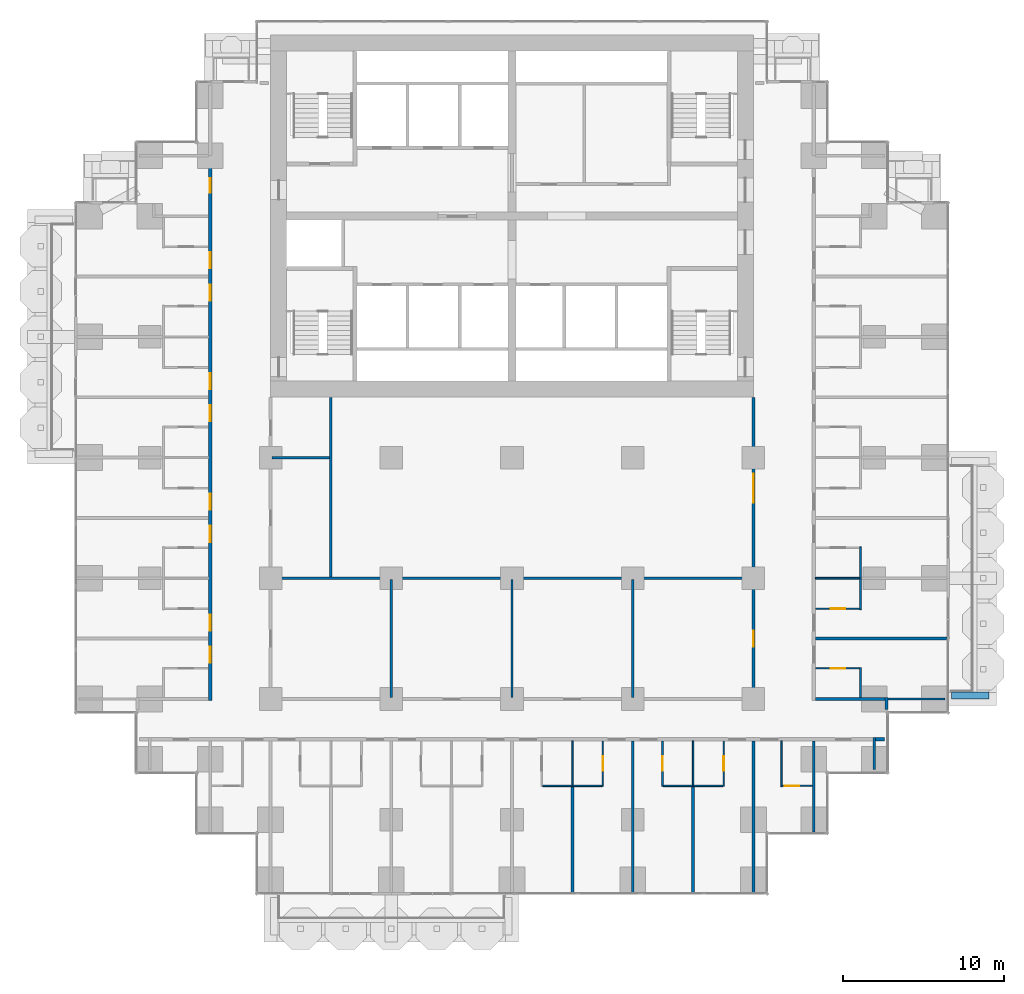
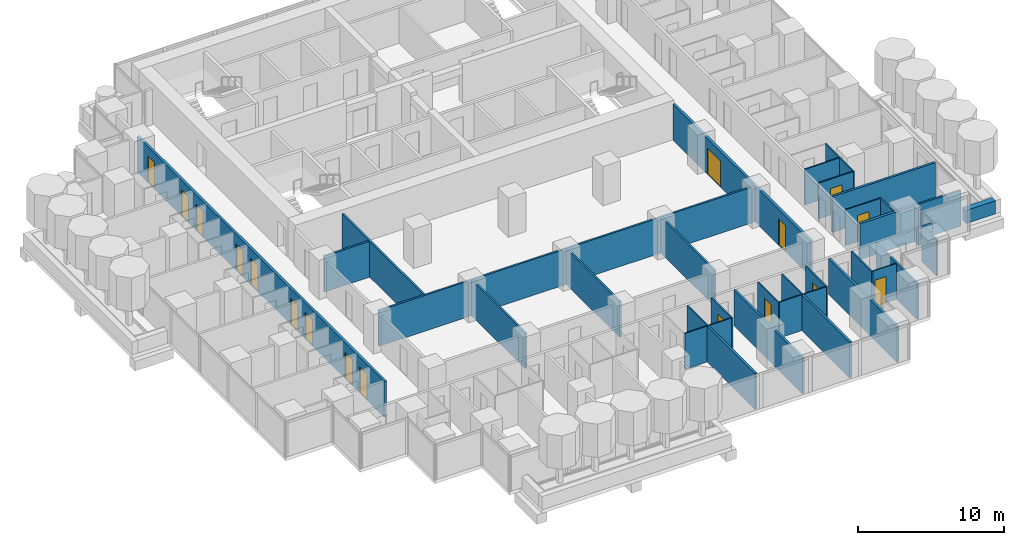
# One storey, part 11 of 18: 34 walls, 17 doors, 17 openings.
"""IFC4 building model written with IfcOpenShell, lengths in metres."""

from ifc_helpers import new_model, si_unit, direction, frame, frame_2d, origin, place, context, subcontext, project, spatial, rectangle, extrude, material, layer, layer_set, type_object, element, fill, save


model = new_model("IFC4")

# Units and contexts
model_context = context("Model", 3, precision=1e-05, world=origin(), true_north=direction((0.0, 1.0)))
body_context = subcontext(model_context, "Body", "Model", "MODEL_VIEW")
ifc_project = project(units=[si_unit("LENGTHUNIT", "METRE"), si_unit("AREAUNIT", "SQUARE_METRE"), si_unit("VOLUMEUNIT", "CUBIC_METRE"), si_unit("PLANEANGLEUNIT", "RADIAN"), si_unit("MASSUNIT", "GRAM", prefix="KILO")], contexts=[model_context])

# Site, building, storey
site_placement = place(None, origin())
site = spatial("IfcSite", under=ifc_project, at=site_placement, CompositionType="ELEMENT")
building_placement = place(site_placement, origin())
building = spatial("IfcBuilding", under=site, at=building_placement, Name="Pilkhan Gate Tower", CompositionType="ELEMENT")
storey_placement = place(building_placement, frame((0.0, 0.0, 42.800048828125)))
storey = spatial("IfcBuildingStorey", under=building, at=storey_placement, Name="L07", CompositionType="ELEMENT", Elevation=42.800048828125)

# Walls
ifc_material_1 = material(Name="Dense blockwork", Category="masonry")
ifc_layer_1 = layer(ifc_material_1, 0.175048828125)
ifc_layer_set_1 = layer_set([ifc_layer_1], Name="Acoustic party wall PW175")
wall_type_1 = type_object("IfcWallType", Name="Acoustic party wall PW175", PredefinedType="PARTITIONING", material=ifc_layer_set_1)
wall_1_placement = place(storey_placement, frame((93.85009765625, 56.25, 0.0), z_axis=(0.0, 0.0, 1.0), x_axis=(1.0, 0.0, 0.0)))
element("IfcWall", 1, at=wall_1_placement, inside=storey, type_object=wall_type_1, Name="Partition L07", PredefinedType="PARTITIONING", context=body_context, shape_type="SweptSolid", body=[
    extrude(rectangle(XDim=8.164794921875, YDim=0.175048828125, at=frame_2d((4.08251953125, 0.0))), origin(), (0.0, 0.0, 1.0), 3.0),
])
wall_2_placement = place(storey_placement, frame((78.75, 40.485107421875, 0.0), z_axis=(0.0, 0.0, 1.0), x_axis=(0.0, 1.0, 0.0)))
element("IfcWall", 2, at=wall_2_placement, inside=storey, type_object=wall_type_1, Name="Partition L07", PredefinedType="PARTITIONING", context=body_context, shape_type="SweptSolid", body=[
    extrude(rectangle(XDim=6.56494140625, YDim=0.175048828125, at=frame_2d((3.282470703125, 0.0))), origin(), (0.0, 0.0, 1.0), 3.0),
])
wall_3_placement = place(storey_placement, frame((82.5, 40.485107421875, 0.0), z_axis=(0.0, 0.0, 1.0), x_axis=(0.0, 1.0, 0.0)))
element("IfcWall", 3, at=wall_3_placement, inside=storey, type_object=wall_type_1, Name="Partition L07", PredefinedType="PARTITIONING", context=body_context, shape_type="SweptSolid", body=[
    extrude(rectangle(XDim=9.414794921875, YDim=0.175048828125, at=frame_2d((4.70751953125, 0.0))), origin(), (0.0, 0.0, 1.0), 3.0),
])
wall_4_placement = place(storey_placement, frame((86.25, 40.485107421875, 0.0), z_axis=(0.0, 0.0, 1.0), x_axis=(0.0, 1.0, 0.0)))
element("IfcWall", 4, at=wall_4_placement, inside=storey, type_object=wall_type_1, Name="Partition L07", PredefinedType="PARTITIONING", context=body_context, shape_type="SweptSolid", body=[
    extrude(rectangle(XDim=6.56494140625, YDim=0.175048828125, at=frame_2d((3.282470703125, 0.0))), origin(), (0.0, 0.0, 1.0), 3.0),
])
wall_5_placement = place(storey_placement, frame((90.0, 40.485107421875, 0.0), z_axis=(0.0, 0.0, 1.0), x_axis=(0.0, 1.0, 0.0)))
element("IfcWall", 5, at=wall_5_placement, inside=storey, type_object=wall_type_1, Name="Partition L07", PredefinedType="PARTITIONING", context=body_context, shape_type="SweptSolid", body=[
    extrude(rectangle(XDim=9.414794921875, YDim=0.175048828125, at=frame_2d((4.70751953125, 0.0))), origin(), (0.0, 0.0, 1.0), 3.0),
])
ifc_material_2 = material(Name="Board-marked Concrete C40/50", Category="concrete")
ifc_layer_2 = layer(ifc_material_2, 0.449951171875)
ifc_layer_set_2 = layer_set([ifc_layer_2], Name="Balcony planter lip BL450")
wall_type_2 = type_object("IfcWallType", Name="Balcony planter lip BL450", PredefinedType="USERDEFINED", material=ifc_layer_set_2)
wall_6_placement = place(storey_placement, frame((102.320068359375, 52.72509765625, 0.0), z_axis=(0.0, 0.0, 1.0), x_axis=(1.0, 0.0, 0.0)))
element("IfcWall", 6, at=wall_6_placement, inside=storey, type_object=wall_type_2, Name="Balcony planter L07 E", ObjectType="BALCONY PLANTER", PredefinedType="USERDEFINED", context=body_context, shape_type="SweptSolid", body=[
    extrude(rectangle(XDim=2.329833984375, YDim=0.449951171875, at=frame_2d((1.1650390625, 0.0))), origin(), (0.0, 0.0, 1.0), 1.099853515625),
])
ifc_layer_3 = layer(ifc_material_1, 0.199951171875)
ifc_layer_set_3 = layer_set([ifc_layer_3], Name="Corridor wall FW200")
wall_type_3 = type_object("IfcWallType", Name="Corridor wall FW200", PredefinedType="PARTITIONING", material=ifc_layer_set_3)
wall_7_placement = place(storey_placement, frame((97.574951171875, 50.0, 0.0), z_axis=(0.0, 0.0, 1.0), x_axis=(1.0, 0.0, 0.0)))
element("IfcWall", 7, at=wall_7_placement, inside=storey, type_object=wall_type_3, Name="Partition L07", PredefinedType="PARTITIONING", context=body_context, shape_type="SweptSolid", body=[
    extrude(rectangle(XDim=0.570068359375, YDim=0.199951171875, at=frame_2d((0.28515625, 0.0))), origin(), (0.0, 0.0, 1.0), 3.0),
])
wall_8_placement = place(storey_placement, frame((93.85009765625, 52.5, 0.0), z_axis=(0.0, 0.0, 1.0), x_axis=(1.0, 0.0, 0.0)))
element("IfcWall", 8, at=wall_8_placement, inside=storey, type_object=wall_type_3, Name="Partition L07", PredefinedType="PARTITIONING", context=body_context, shape_type="SweptSolid", body=[
    extrude(rectangle(XDim=4.31494140625, YDim=0.199951171875, at=frame_2d((2.157470703125, 0.0))), origin(), (0.0, 0.0, 1.0), 3.0),
])

# Wall, openings, doors
wall_9_placement = place(storey_placement, frame((56.25, 52.39990234375, 0.0), z_axis=(0.0, 0.0, 1.0), x_axis=(0.0, 1.0, 0.0)))
wall_9 = element("IfcWall", 9, at=wall_9_placement, inside=storey, type_object=wall_type_3, Name="Partition L07", PredefinedType="PARTITIONING", context=body_context, shape_type="SweptSolid", body=[
    extrude(rectangle(XDim=33.925048828125, YDim=0.199951171875, at=frame_2d((16.96240234375, 0.0))), origin(), (0.0, 0.0, 1.0), 3.0),
])
opening_1_placement = place(wall_9_placement, frame((2.35009765625, 0.0, 0.0)))
opening_1 = element("IfcOpeningElement", 10, at=opening_1_placement, cuts=wall_9, Name="Opening L07-26", PredefinedType="OPENING", context=body_context, shape_type="SweptSolid", body=[
    extrude(rectangle(XDim=1.0, YDim=2.199951171875, at=frame_2d((0.5, 1.10009765625))), frame((0.0, 0.10986328125, 0.0), z_axis=(0.0, -1.0, 0.0), x_axis=(1.0, 0.0, 0.0)), (0.0, 0.0, 1.0), 0.219970703125),
])
opening_2_placement = place(wall_9_placement, frame((4.35009765625, 0.0, 0.0)))
opening_2 = element("IfcOpeningElement", 11, at=opening_2_placement, cuts=wall_9, Name="Opening L07-28", PredefinedType="OPENING", context=body_context, shape_type="SweptSolid", body=[
    extrude(rectangle(XDim=1.0, YDim=2.199951171875, at=frame_2d((0.5, 1.10009765625))), frame((0.0, 0.10986328125, 0.0), z_axis=(0.0, -1.0, 0.0), x_axis=(1.0, 0.0, 0.0)), (0.0, 0.0, 1.0), 0.219970703125),
])
opening_3_placement = place(wall_9_placement, frame((9.85009765625, 0.0, 0.0)))
opening_3 = element("IfcOpeningElement", 12, at=opening_3_placement, cuts=wall_9, Name="Opening L07-30", PredefinedType="OPENING", context=body_context, shape_type="SweptSolid", body=[
    extrude(rectangle(XDim=1.0, YDim=2.199951171875, at=frame_2d((0.5, 1.10009765625))), frame((0.0, 0.10986328125, 0.0), z_axis=(0.0, -1.0, 0.0), x_axis=(1.0, 0.0, 0.0)), (0.0, 0.0, 1.0), 0.219970703125),
])
opening_4_placement = place(wall_9_placement, frame((11.85009765625, 0.0, 0.0)))
opening_4 = element("IfcOpeningElement", 13, at=opening_4_placement, cuts=wall_9, Name="Opening L07-32", PredefinedType="OPENING", context=body_context, shape_type="SweptSolid", body=[
    extrude(rectangle(XDim=1.0, YDim=2.199951171875, at=frame_2d((0.5, 1.10009765625))), frame((0.0, 0.10986328125, 0.0), z_axis=(0.0, -1.0, 0.0), x_axis=(1.0, 0.0, 0.0)), (0.0, 0.0, 1.0), 0.219970703125),
])
opening_5_placement = place(wall_9_placement, frame((17.35009765625, 0.0, 0.0)))
opening_5 = element("IfcOpeningElement", 14, at=opening_5_placement, cuts=wall_9, Name="Opening L07-34", PredefinedType="OPENING", context=body_context, shape_type="SweptSolid", body=[
    extrude(rectangle(XDim=1.0, YDim=2.199951171875, at=frame_2d((0.5, 1.10009765625))), frame((0.0, 0.10986328125, 0.0), z_axis=(0.0, -1.0, 0.0), x_axis=(1.0, 0.0, 0.0)), (0.0, 0.0, 1.0), 0.219970703125),
])
opening_6_placement = place(wall_9_placement, frame((19.35009765625, 0.0, 0.0)))
opening_6 = element("IfcOpeningElement", 15, at=opening_6_placement, cuts=wall_9, Name="Opening L07-36", PredefinedType="OPENING", context=body_context, shape_type="SweptSolid", body=[
    extrude(rectangle(XDim=1.0, YDim=2.199951171875, at=frame_2d((0.5, 1.10009765625))), frame((0.0, 0.10986328125, 0.0), z_axis=(0.0, -1.0, 0.0), x_axis=(1.0, 0.0, 0.0)), (0.0, 0.0, 1.0), 0.219970703125),
])
opening_7_placement = place(wall_9_placement, frame((24.85009765625, 0.0, 0.0)))
opening_7 = element("IfcOpeningElement", 16, at=opening_7_placement, cuts=wall_9, Name="Opening L07-38", PredefinedType="OPENING", context=body_context, shape_type="SweptSolid", body=[
    extrude(rectangle(XDim=1.0, YDim=2.199951171875, at=frame_2d((0.5, 1.10009765625))), frame((0.0, 0.10986328125, 0.0), z_axis=(0.0, -1.0, 0.0), x_axis=(1.0, 0.0, 0.0)), (0.0, 0.0, 1.0), 0.219970703125),
])
opening_8_placement = place(wall_9_placement, frame((26.85009765625, 0.0, 0.0)))
opening_8 = element("IfcOpeningElement", 17, at=opening_8_placement, cuts=wall_9, Name="Opening L07-40", PredefinedType="OPENING", context=body_context, shape_type="SweptSolid", body=[
    extrude(rectangle(XDim=1.0, YDim=2.199951171875, at=frame_2d((0.5, 1.10009765625))), frame((0.0, 0.10986328125, 0.0), z_axis=(0.0, -1.0, 0.0), x_axis=(1.0, 0.0, 0.0)), (0.0, 0.0, 1.0), 0.219970703125),
])
opening_9_placement = place(wall_9_placement, frame((31.550048828125, 0.0, 0.0)))
opening_9 = element("IfcOpeningElement", 18, at=opening_9_placement, cuts=wall_9, Name="Opening L07-65", PredefinedType="OPENING", context=body_context, shape_type="SweptSolid", body=[
    extrude(rectangle(XDim=0.89990234375, YDim=2.199951171875, at=frame_2d((0.449951171875, 1.10009765625))), frame((0.0, 0.10986328125, 0.0), z_axis=(0.0, -1.0, 0.0), x_axis=(1.0, 0.0, 0.0)), (0.0, 0.0, 1.0), 0.219970703125),
])
ifc_material_3 = material(Name="Timber flush door, 30 minute fire resisting", Category="wood")
door_type_1 = type_object("IfcDoorType", Name="Guest room door D01 1000x2200", OperationType="SINGLE_SWING_LEFT", PredefinedType="DOOR", material=ifc_material_3)
door_1_placement = place(opening_1_placement, origin())
door_1 = element("IfcDoor", 19, at=door_1_placement, inside=storey, type_object=door_type_1, Name="Guest room door", OperationType="SINGLE_SWING_LEFT", OverallHeight=2.199951171875, OverallWidth=1.0, PredefinedType="DOOR", context=body_context, shape_type="SweptSolid", body=[
    extrude(rectangle(XDim=1.0, YDim=2.199951171875, at=frame_2d((0.5, 1.10009765625))), frame((0.0, 0.02490234375, 0.0), z_axis=(0.0, -1.0, 0.0), x_axis=(1.0, 0.0, 0.0)), (0.0, 0.0, 1.0), 0.050048828125),
])
fill(opening_1, door_1)
door_2_placement = place(opening_2_placement, origin())
door_2 = element("IfcDoor", 20, at=door_2_placement, inside=storey, type_object=door_type_1, Name="Guest room door", OperationType="SINGLE_SWING_RIGHT", OverallHeight=2.199951171875, OverallWidth=1.0, PredefinedType="DOOR", context=body_context, shape_type="SweptSolid", body=[
    extrude(rectangle(XDim=1.0, YDim=2.199951171875, at=frame_2d((0.5, 1.10009765625))), frame((0.0, 0.02490234375, 0.0), z_axis=(0.0, -1.0, 0.0), x_axis=(1.0, 0.0, 0.0)), (0.0, 0.0, 1.0), 0.050048828125),
])
fill(opening_2, door_2)
door_3_placement = place(opening_3_placement, origin())
door_3 = element("IfcDoor", 21, at=door_3_placement, inside=storey, type_object=door_type_1, Name="Guest room door", OperationType="SINGLE_SWING_LEFT", OverallHeight=2.199951171875, OverallWidth=1.0, PredefinedType="DOOR", context=body_context, shape_type="SweptSolid", body=[
    extrude(rectangle(XDim=1.0, YDim=2.199951171875, at=frame_2d((0.5, 1.10009765625))), frame((0.0, 0.02490234375, 0.0), z_axis=(0.0, -1.0, 0.0), x_axis=(1.0, 0.0, 0.0)), (0.0, 0.0, 1.0), 0.050048828125),
])
fill(opening_3, door_3)
door_4_placement = place(opening_4_placement, origin())
door_4 = element("IfcDoor", 22, at=door_4_placement, inside=storey, type_object=door_type_1, Name="Guest room door", OperationType="SINGLE_SWING_LEFT", OverallHeight=2.199951171875, OverallWidth=1.0, PredefinedType="DOOR", context=body_context, shape_type="SweptSolid", body=[
    extrude(rectangle(XDim=1.0, YDim=2.199951171875, at=frame_2d((0.5, 1.10009765625))), frame((0.0, 0.02490234375, 0.0), z_axis=(0.0, -1.0, 0.0), x_axis=(1.0, 0.0, 0.0)), (0.0, 0.0, 1.0), 0.050048828125),
])
fill(opening_4, door_4)
door_5_placement = place(opening_5_placement, origin())
door_5 = element("IfcDoor", 23, at=door_5_placement, inside=storey, type_object=door_type_1, Name="Guest room door", OperationType="SINGLE_SWING_LEFT", OverallHeight=2.199951171875, OverallWidth=1.0, PredefinedType="DOOR", context=body_context, shape_type="SweptSolid", body=[
    extrude(rectangle(XDim=1.0, YDim=2.199951171875, at=frame_2d((0.5, 1.10009765625))), frame((0.0, 0.02490234375, 0.0), z_axis=(0.0, -1.0, 0.0), x_axis=(1.0, 0.0, 0.0)), (0.0, 0.0, 1.0), 0.050048828125),
])
fill(opening_5, door_5)
door_6_placement = place(opening_6_placement, origin())
door_6 = element("IfcDoor", 24, at=door_6_placement, inside=storey, type_object=door_type_1, Name="Guest room door", OperationType="SINGLE_SWING_RIGHT", OverallHeight=2.199951171875, OverallWidth=1.0, PredefinedType="DOOR", context=body_context, shape_type="SweptSolid", body=[
    extrude(rectangle(XDim=1.0, YDim=2.199951171875, at=frame_2d((0.5, 1.10009765625))), frame((0.0, 0.02490234375, 0.0), z_axis=(0.0, -1.0, 0.0), x_axis=(1.0, 0.0, 0.0)), (0.0, 0.0, 1.0), 0.050048828125),
])
fill(opening_6, door_6)
door_7_placement = place(opening_7_placement, origin())
door_7 = element("IfcDoor", 25, at=door_7_placement, inside=storey, type_object=door_type_1, Name="Guest room door", OperationType="SINGLE_SWING_LEFT", OverallHeight=2.199951171875, OverallWidth=1.0, PredefinedType="DOOR", context=body_context, shape_type="SweptSolid", body=[
    extrude(rectangle(XDim=1.0, YDim=2.199951171875, at=frame_2d((0.5, 1.10009765625))), frame((0.0, 0.02490234375, 0.0), z_axis=(0.0, -1.0, 0.0), x_axis=(1.0, 0.0, 0.0)), (0.0, 0.0, 1.0), 0.050048828125),
])
fill(opening_7, door_7)
door_8_placement = place(opening_8_placement, origin())
door_8 = element("IfcDoor", 26, at=door_8_placement, inside=storey, type_object=door_type_1, Name="Guest room door", OperationType="SINGLE_SWING_LEFT", OverallHeight=2.199951171875, OverallWidth=1.0, PredefinedType="DOOR", context=body_context, shape_type="SweptSolid", body=[
    extrude(rectangle(XDim=1.0, YDim=2.199951171875, at=frame_2d((0.5, 1.10009765625))), frame((0.0, 0.02490234375, 0.0), z_axis=(0.0, -1.0, 0.0), x_axis=(1.0, 0.0, 0.0)), (0.0, 0.0, 1.0), 0.050048828125),
])
fill(opening_8, door_8)
ifc_material_4 = material(Name="Timber flush door, 60 minute fire resisting, self-closing", Category="wood")
door_type_2 = type_object("IfcDoorType", Name="Store door D05 900x2200", OperationType="SINGLE_SWING_LEFT", PredefinedType="DOOR", material=ifc_material_4)
door_9_placement = place(opening_9_placement, origin())
door_9 = element("IfcDoor", 27, at=door_9_placement, inside=storey, type_object=door_type_2, Name="Store door", OperationType="SINGLE_SWING_LEFT", OverallHeight=2.199951171875, OverallWidth=0.89990234375, PredefinedType="DOOR", context=body_context, shape_type="SweptSolid", body=[
    extrude(rectangle(XDim=0.89990234375, YDim=2.199951171875, at=frame_2d((0.449951171875, 1.10009765625))), frame((0.0, 0.02490234375, 0.0), z_axis=(0.0, -1.0, 0.0), x_axis=(1.0, 0.0, 0.0)), (0.0, 0.0, 1.0), 0.050048828125),
])
fill(opening_9, door_9)

wall_10_placement = place(storey_placement, frame((90.0, 52.39990234375, 0.0), z_axis=(0.0, 0.0, 1.0), x_axis=(0.0, 1.0, 0.0)))
wall_10 = element("IfcWall", 28, at=wall_10_placement, inside=storey, type_object=wall_type_3, Name="Partition L07", PredefinedType="PARTITIONING", context=body_context, shape_type="SweptSolid", body=[
    extrude(rectangle(XDim=18.840087890625, YDim=0.199951171875, at=frame_2d((9.419921875, 0.0))), origin(), (0.0, 0.0, 1.0), 3.0),
])
opening_10_placement = place(wall_10_placement, frame((3.35009765625, 0.0, 0.0)))
opening_10 = element("IfcOpeningElement", 29, at=opening_10_placement, cuts=wall_10, Name="Opening L07-70", PredefinedType="OPENING", context=body_context, shape_type="SweptSolid", body=[
    extrude(rectangle(XDim=1.0, YDim=2.199951171875, at=frame_2d((0.5, 1.10009765625))), frame((0.0, 0.10986328125, 0.0), z_axis=(0.0, -1.0, 0.0), x_axis=(1.0, 0.0, 0.0)), (0.0, 0.0, 1.0), 0.219970703125),
])
opening_11_placement = place(wall_10_placement, frame((12.300048828125, 0.0, 0.0)))
opening_11 = element("IfcOpeningElement", 30, at=opening_11_placement, cuts=wall_10, Name="Opening L07-73", PredefinedType="OPENING", context=body_context, shape_type="SweptSolid", body=[
    extrude(rectangle(XDim=1.800048828125, YDim=2.199951171875, at=frame_2d((0.89990234375, 1.10009765625))), frame((0.0, 0.10986328125, 0.0), z_axis=(0.0, -1.0, 0.0), x_axis=(1.0, 0.0, 0.0)), (0.0, 0.0, 1.0), 0.219970703125),
])
ifc_material_5 = material(Name="Timber glazed double door, 30 minute fire resisting", Category="wood")
door_type_3 = type_object("IfcDoorType", Name="Double door D04 1800x2200", OperationType="DOUBLE_DOOR_SINGLE_SWING", PredefinedType="DOOR", material=ifc_material_5)
door_10_placement = place(opening_11_placement, origin())
door_10 = element("IfcDoor", 31, at=door_10_placement, inside=storey, type_object=door_type_3, Name="Double door", OperationType="DOUBLE_DOOR_SINGLE_SWING", OverallHeight=2.199951171875, OverallWidth=1.800048828125, PredefinedType="DOOR", context=body_context, shape_type="SweptSolid", body=[
    extrude(rectangle(XDim=1.800048828125, YDim=2.199951171875, at=frame_2d((0.89990234375, 1.10009765625))), frame((0.0, 0.02490234375, 0.0), z_axis=(0.0, -1.0, 0.0), x_axis=(1.0, 0.0, 0.0)), (0.0, 0.0, 1.0), 0.050048828125),
])
fill(opening_11, door_10)
door_type_4 = type_object("IfcDoorType", Name="Room door D03 1000x2200", OperationType="SINGLE_SWING_LEFT", PredefinedType="DOOR", material=ifc_material_3)
door_11_placement = place(opening_10_placement, origin())
door_11 = element("IfcDoor", 32, at=door_11_placement, inside=storey, type_object=door_type_4, Name="Room door", OperationType="SINGLE_SWING_RIGHT", OverallHeight=2.199951171875, OverallWidth=1.0, PredefinedType="DOOR", context=body_context, shape_type="SweptSolid", body=[
    extrude(rectangle(XDim=1.0, YDim=2.199951171875, at=frame_2d((0.5, 1.10009765625))), frame((0.0, 0.02490234375, 0.0), z_axis=(0.0, -1.0, 0.0), x_axis=(1.0, 0.0, 0.0)), (0.0, 0.0, 1.0), 0.050048828125),
])
fill(opening_10, door_11)

# Walls
wall_11_placement = place(storey_placement, frame((98.264892578125, 51.85498046875, 0.0), z_axis=(0.0, 0.0, 1.0), x_axis=(0.0, 1.0, 0.0)))
element("IfcWall", 33, at=wall_11_placement, inside=storey, type_object=wall_type_3, Name="Partition L07", PredefinedType="PARTITIONING", context=body_context, shape_type="SweptSolid", body=[
    extrude(rectangle(XDim=0.7451171875, YDim=0.199951171875, at=frame_2d((0.37255859375, 0.0))), origin(), (0.0, 0.0, 1.0), 3.0),
])
ifc_material_6 = material(Name="Blockwork partition, plastered both sides", Category="masonry")
ifc_layer_4 = layer(ifc_material_6, 0.14990234375)
ifc_layer_set_4 = layer_set([ifc_layer_4], Name="Partition PW150")
wall_type_4 = type_object("IfcWallType", Name="Partition PW150", PredefinedType="PARTITIONING", material=ifc_layer_set_4)
wall_12_placement = place(storey_placement, frame((98.364990234375, 52.5, 0.0), z_axis=(0.0, 0.0, 1.0), x_axis=(1.0, 0.0, 0.0)))
element("IfcWall", 34, at=wall_12_placement, inside=storey, type_object=wall_type_4, Name="Partition L07", PredefinedType="PARTITIONING", context=body_context, shape_type="SweptSolid", body=[
    extrude(rectangle(XDim=3.530029296875, YDim=0.14990234375, at=frame_2d((1.76513671875, 0.0))), origin(), (0.0, 0.0, 1.0), 3.0),
])
wall_13_placement = place(storey_placement, frame((60.10009765625, 60.0, 0.0), z_axis=(0.0, 0.0, 1.0), x_axis=(1.0, 0.0, 0.0)))
element("IfcWall", 35, at=wall_13_placement, inside=storey, type_object=wall_type_4, Name="Partition L07", PredefinedType="PARTITIONING", context=body_context, shape_type="SweptSolid", body=[
    extrude(rectangle(XDim=29.7998046875, YDim=0.14990234375, at=frame_2d((14.89990234375, 0.0))), origin(), (0.0, 0.0, 1.0), 3.0),
])
wall_14_placement = place(storey_placement, frame((60.10009765625, 67.5, 0.0), z_axis=(0.0, 0.0, 1.0), x_axis=(1.0, 0.0, 0.0)))
element("IfcWall", 36, at=wall_14_placement, inside=storey, type_object=wall_type_4, Name="Partition L07", PredefinedType="PARTITIONING", context=body_context, shape_type="SweptSolid", body=[
    extrude(rectangle(XDim=3.574951171875, YDim=0.14990234375, at=frame_2d((1.78759765625, 0.0))), origin(), (0.0, 0.0, 1.0), 3.0),
])
wall_15_placement = place(storey_placement, frame((63.75, 60.074951171875, 0.0), z_axis=(0.0, 0.0, 1.0), x_axis=(0.0, 1.0, 0.0)))
element("IfcWall", 37, at=wall_15_placement, inside=storey, type_object=wall_type_4, Name="Partition L07", PredefinedType="PARTITIONING", context=body_context, shape_type="SweptSolid", body=[
    extrude(rectangle(XDim=11.1650390625, YDim=0.14990234375, at=frame_2d((5.58251953125, 0.0))), origin(), (0.0, 0.0, 1.0), 3.0),
])
for number, where, z_axis, x_axis, name in (
    (38, (67.5, 52.60009765625, 0.0), (0.0, 0.0, 1.0), (0.0, 1.0, 0.0), "Partition L07"),
    (39, (75.0, 52.60009765625, 0.0), (0.0, 0.0, 1.0), (0.0, 1.0, 0.0), "Partition L07"),
    (40, (82.5, 52.60009765625, 0.0), (0.0, 0.0, 1.0), (0.0, 1.0, 0.0), "Partition L07"),
):
    element("IfcWall", number, at=place(storey_placement, frame(where, z_axis=z_axis, x_axis=x_axis)), inside=storey, type_object=wall_type_4, Name=name, PredefinedType="PARTITIONING", context=body_context, shape_type="SweptSolid", body=[
        extrude(rectangle(XDim=7.324951171875, YDim=0.14990234375, at=frame_2d((3.66259765625, 0.0))), origin(), (0.0, 0.0, 1.0), 3.0),
    ])
wall_16_placement = place(storey_placement, frame((93.75, 44.235107421875, 0.0), z_axis=(0.0, 0.0, 1.0), x_axis=(0.0, 1.0, 0.0)))
element("IfcWall", 41, at=wall_16_placement, inside=storey, type_object=wall_type_4, Name="Partition L07", PredefinedType="PARTITIONING", context=body_context, shape_type="SweptSolid", body=[
    extrude(rectangle(XDim=5.664794921875, YDim=0.14990234375, at=frame_2d((2.83251953125, 0.0))), origin(), (0.0, 0.0, 1.0), 3.0),
])
wall_17_placement = place(storey_placement, frame((97.5, 48.10498046875, 0.0), z_axis=(0.0, 0.0, 1.0), x_axis=(0.0, 1.0, 0.0)))
element("IfcWall", 42, at=wall_17_placement, inside=storey, type_object=wall_type_4, Name="Partition L07", PredefinedType="PARTITIONING", context=body_context, shape_type="SweptSolid", body=[
    extrude(rectangle(XDim=1.9951171875, YDim=0.14990234375, at=frame_2d((0.99755859375, 0.0))), origin(), (0.0, 0.0, 1.0), 3.0),
])
ifc_material_7 = material(Name="Moisture resistant board, tiled")
ifc_layer_5 = layer(ifc_material_7, 0.10009765625)
ifc_layer_set_5 = layer_set([ifc_layer_5], Name="Wet wall PW100")
wall_type_5 = type_object("IfcWallType", Name="Wet wall PW100", PredefinedType="PARTITIONING", material=ifc_layer_set_5)
for number, where, z_axis, x_axis, name in (
    (43, (76.89990234375, 47.10009765625, 0.0), (0.0, 0.0, 1.0), (1.0, 0.0, 0.0), "Partition L07"),
    (44, (84.39990234375, 47.10009765625, 0.0), (0.0, 0.0, 1.0), (1.0, 0.0, 0.0), "Partition L07"),
):
    element("IfcWall", number, at=place(storey_placement, frame(where, z_axis=z_axis, x_axis=x_axis)), inside=storey, type_object=wall_type_5, Name=name, PredefinedType="PARTITIONING", context=body_context, shape_type="SweptSolid", body=[
        extrude(rectangle(XDim=3.7001953125, YDim=0.10009765625, at=frame_2d((1.85009765625, 0.0))), origin(), (0.0, 0.0, 1.0), 3.0),
    ])

# Wall, opening, door
wall_18_placement = place(storey_placement, frame((91.800048828125, 47.10009765625, 0.0), z_axis=(0.0, 0.0, 1.0), x_axis=(1.0, 0.0, 0.0)))
wall_18 = element("IfcWall", 45, at=wall_18_placement, inside=storey, type_object=wall_type_5, Name="Partition L07", PredefinedType="PARTITIONING", context=body_context, shape_type="SweptSolid", body=[
    extrude(rectangle(XDim=1.875, YDim=0.10009765625, at=frame_2d((0.9375, 0.0))), origin(), (0.0, 0.0, 1.0), 3.0),
])
opening_12_placement = place(wall_18_placement, frame((0.14990234375, 0.0, 0.0)))
opening_12 = element("IfcOpeningElement", 46, at=opening_12_placement, cuts=wall_18, Name="Opening L07-25", PredefinedType="OPENING", context=body_context, shape_type="SweptSolid", body=[
    extrude(rectangle(XDim=0.89990234375, YDim=2.199951171875, at=frame_2d((0.449951171875, 1.10009765625))), frame((0.0, 0.06005859375, 0.0), z_axis=(0.0, -1.0, 0.0), x_axis=(1.0, 0.0, 0.0)), (0.0, 0.0, 1.0), 0.1201171875),
])
ifc_material_8 = material(Name="Timber flush door", Category="wood")
door_type_5 = type_object("IfcDoorType", Name="Bathroom door D02 900x2200", OperationType="SINGLE_SWING_RIGHT", PredefinedType="DOOR", material=ifc_material_8)
door_12_placement = place(opening_12_placement, origin())
door_12 = element("IfcDoor", 47, at=door_12_placement, inside=storey, type_object=door_type_5, Name="Bathroom door", OperationType="SINGLE_SWING_RIGHT", OverallHeight=2.199951171875, OverallWidth=0.89990234375, PredefinedType="DOOR", context=body_context, shape_type="SweptSolid", body=[
    extrude(rectangle(XDim=0.89990234375, YDim=2.199951171875, at=frame_2d((0.449951171875, 1.10009765625))), frame((0.0, 0.02490234375, 0.0), z_axis=(0.0, -1.0, 0.0), x_axis=(1.0, 0.0, 0.0)), (0.0, 0.0, 1.0), 0.050048828125),
])
fill(opening_12, door_12)

wall_19_placement = place(storey_placement, frame((93.85009765625, 54.39990234375, 0.0), z_axis=(0.0, 0.0, 1.0), x_axis=(1.0, 0.0, 0.0)))
wall_19 = element("IfcWall", 48, at=wall_19_placement, inside=storey, type_object=wall_type_5, Name="Partition L07", PredefinedType="PARTITIONING", context=body_context, shape_type="SweptSolid", body=[
    extrude(rectangle(XDim=2.75, YDim=0.10009765625, at=frame_2d((1.375, 0.0))), origin(), (0.0, 0.0, 1.0), 3.0),
])
opening_13_placement = place(wall_19_placement, frame((0.949951171875, 0.0, 0.0)))
opening_13 = element("IfcOpeningElement", 49, at=opening_13_placement, cuts=wall_19, Name="Opening L07-43", PredefinedType="OPENING", context=body_context, shape_type="SweptSolid", body=[
    extrude(rectangle(XDim=0.89990234375, YDim=2.199951171875, at=frame_2d((0.449951171875, 1.10009765625))), frame((0.0, 0.06005859375, 0.0), z_axis=(0.0, -1.0, 0.0), x_axis=(1.0, 0.0, 0.0)), (0.0, 0.0, 1.0), 0.1201171875),
])
door_13_placement = place(opening_13_placement, origin())
door_13 = element("IfcDoor", 50, at=door_13_placement, inside=storey, type_object=door_type_5, Name="Bathroom door", OperationType="SINGLE_SWING_RIGHT", OverallHeight=2.199951171875, OverallWidth=0.89990234375, PredefinedType="DOOR", context=body_context, shape_type="SweptSolid", body=[
    extrude(rectangle(XDim=0.89990234375, YDim=2.199951171875, at=frame_2d((0.449951171875, 1.10009765625))), frame((0.0, 0.02490234375, 0.0), z_axis=(0.0, -1.0, 0.0), x_axis=(1.0, 0.0, 0.0)), (0.0, 0.0, 1.0), 0.050048828125),
])
fill(opening_13, door_13)

wall_20_placement = place(storey_placement, frame((93.85009765625, 58.10009765625, 0.0), z_axis=(0.0, 0.0, 1.0), x_axis=(1.0, 0.0, 0.0)))
wall_20 = element("IfcWall", 51, at=wall_20_placement, inside=storey, type_object=wall_type_5, Name="Partition L07", PredefinedType="PARTITIONING", context=body_context, shape_type="SweptSolid", body=[
    extrude(rectangle(XDim=2.75, YDim=0.10009765625, at=frame_2d((1.375, 0.0))), origin(), (0.0, 0.0, 1.0), 3.0),
])
opening_14_placement = place(wall_20_placement, frame((0.949951171875, 0.0, 0.0)))
opening_14 = element("IfcOpeningElement", 52, at=opening_14_placement, cuts=wall_20, Name="Opening L07-45", PredefinedType="OPENING", context=body_context, shape_type="SweptSolid", body=[
    extrude(rectangle(XDim=0.89990234375, YDim=2.199951171875, at=frame_2d((0.449951171875, 1.10009765625))), frame((0.0, 0.06005859375, 0.0), z_axis=(0.0, -1.0, 0.0), x_axis=(1.0, 0.0, 0.0)), (0.0, 0.0, 1.0), 0.1201171875),
])
door_14_placement = place(opening_14_placement, origin())
door_14 = element("IfcDoor", 53, at=door_14_placement, inside=storey, type_object=door_type_5, Name="Bathroom door", OperationType="SINGLE_SWING_RIGHT", OverallHeight=2.199951171875, OverallWidth=0.89990234375, PredefinedType="DOOR", context=body_context, shape_type="SweptSolid", body=[
    extrude(rectangle(XDim=0.89990234375, YDim=2.199951171875, at=frame_2d((0.449951171875, 1.10009765625))), frame((0.0, 0.02490234375, 0.0), z_axis=(0.0, -1.0, 0.0), x_axis=(1.0, 0.0, 0.0)), (0.0, 0.0, 1.0), 0.050048828125),
])
fill(opening_14, door_14)

# Walls
for number, where, z_axis, x_axis, name in (
    (54, (93.85009765625, 60.0, 0.0), (0.0, 0.0, 1.0), (1.0, 0.0, 0.0), "Partition L07"),
    (55, (78.75, 47.14990234375, 0.0), (0.0, 0.0, 1.0), (0.0, 1.0, 0.0), "Partition L07"),
):
    element("IfcWall", number, at=place(storey_placement, frame(where, z_axis=z_axis, x_axis=x_axis)), inside=storey, type_object=wall_type_5, Name=name, PredefinedType="PARTITIONING", context=body_context, shape_type="SweptSolid", body=[
        extrude(rectangle(XDim=2.75, YDim=0.10009765625, at=frame_2d((1.375, 0.0))), origin(), (0.0, 0.0, 1.0), 3.0),
    ])

# Wall, opening, door
wall_21_placement = place(storey_placement, frame((80.64990234375, 47.050048828125, 0.0), z_axis=(0.0, 0.0, 1.0), x_axis=(0.0, 1.0, 0.0)))
wall_21 = element("IfcWall", 56, at=wall_21_placement, inside=storey, type_object=wall_type_5, Name="Partition L07", PredefinedType="PARTITIONING", context=body_context, shape_type="SweptSolid", body=[
    extrude(rectangle(XDim=2.849853515625, YDim=0.10009765625, at=frame_2d((1.4248046875, 0.0))), origin(), (0.0, 0.0, 1.0), 3.0),
])
opening_15_placement = place(wall_21_placement, frame((1.0, 0.0, 0.0)))
opening_15 = element("IfcOpeningElement", 57, at=opening_15_placement, cuts=wall_21, Name="Opening L07-19", PredefinedType="OPENING", context=body_context, shape_type="SweptSolid", body=[
    extrude(rectangle(XDim=0.89990234375, YDim=2.199951171875, at=frame_2d((0.449951171875, 1.10009765625))), frame((0.0, 0.06005859375, 0.0), z_axis=(0.0, -1.0, 0.0), x_axis=(1.0, 0.0, 0.0)), (0.0, 0.0, 1.0), 0.1201171875),
])
door_15_placement = place(opening_15_placement, origin())
door_15 = element("IfcDoor", 58, at=door_15_placement, inside=storey, type_object=door_type_5, Name="Bathroom door", OperationType="SINGLE_SWING_RIGHT", OverallHeight=2.199951171875, OverallWidth=0.89990234375, PredefinedType="DOOR", context=body_context, shape_type="SweptSolid", body=[
    extrude(rectangle(XDim=0.89990234375, YDim=2.199951171875, at=frame_2d((0.449951171875, 1.10009765625))), frame((0.0, 0.02490234375, 0.0), z_axis=(0.0, -1.0, 0.0), x_axis=(1.0, 0.0, 0.0)), (0.0, 0.0, 1.0), 0.050048828125),
])
fill(opening_15, door_15)

wall_22_placement = place(storey_placement, frame((84.35009765625, 47.050048828125, 0.0), z_axis=(0.0, 0.0, 1.0), x_axis=(0.0, 1.0, 0.0)))
wall_22 = element("IfcWall", 59, at=wall_22_placement, inside=storey, type_object=wall_type_5, Name="Partition L07", PredefinedType="PARTITIONING", context=body_context, shape_type="SweptSolid", body=[
    extrude(rectangle(XDim=2.849853515625, YDim=0.10009765625, at=frame_2d((1.4248046875, 0.0))), origin(), (0.0, 0.0, 1.0), 3.0),
])
opening_16_placement = place(wall_22_placement, frame((1.0, 0.0, 0.0)))
opening_16 = element("IfcOpeningElement", 60, at=opening_16_placement, cuts=wall_22, Name="Opening L07-21", PredefinedType="OPENING", context=body_context, shape_type="SweptSolid", body=[
    extrude(rectangle(XDim=0.89990234375, YDim=2.199951171875, at=frame_2d((0.449951171875, 1.10009765625))), frame((0.0, 0.06005859375, 0.0), z_axis=(0.0, -1.0, 0.0), x_axis=(1.0, 0.0, 0.0)), (0.0, 0.0, 1.0), 0.1201171875),
])
door_16_placement = place(opening_16_placement, origin())
door_16 = element("IfcDoor", 61, at=door_16_placement, inside=storey, type_object=door_type_5, Name="Bathroom door", OperationType="SINGLE_SWING_RIGHT", OverallHeight=2.199951171875, OverallWidth=0.89990234375, PredefinedType="DOOR", context=body_context, shape_type="SweptSolid", body=[
    extrude(rectangle(XDim=0.89990234375, YDim=2.199951171875, at=frame_2d((0.449951171875, 1.10009765625))), frame((0.0, 0.02490234375, 0.0), z_axis=(0.0, -1.0, 0.0), x_axis=(1.0, 0.0, 0.0)), (0.0, 0.0, 1.0), 0.050048828125),
])
fill(opening_16, door_16)

# Wall
wall_23_placement = place(storey_placement, frame((86.25, 47.14990234375, 0.0), z_axis=(0.0, 0.0, 1.0), x_axis=(0.0, 1.0, 0.0)))
element("IfcWall", 62, at=wall_23_placement, inside=storey, type_object=wall_type_5, Name="Partition L07", PredefinedType="PARTITIONING", context=body_context, shape_type="SweptSolid", body=[
    extrude(rectangle(XDim=2.75, YDim=0.10009765625, at=frame_2d((1.375, 0.0))), origin(), (0.0, 0.0, 1.0), 3.0),
])

# Wall, opening, door
wall_24_placement = place(storey_placement, frame((88.14990234375, 47.050048828125, 0.0), z_axis=(0.0, 0.0, 1.0), x_axis=(0.0, 1.0, 0.0)))
wall_24 = element("IfcWall", 63, at=wall_24_placement, inside=storey, type_object=wall_type_5, Name="Partition L07", PredefinedType="PARTITIONING", context=body_context, shape_type="SweptSolid", body=[
    extrude(rectangle(XDim=2.849853515625, YDim=0.10009765625, at=frame_2d((1.4248046875, 0.0))), origin(), (0.0, 0.0, 1.0), 3.0),
])
opening_17_placement = place(wall_24_placement, frame((1.0, 0.0, 0.0)))
opening_17 = element("IfcOpeningElement", 64, at=opening_17_placement, cuts=wall_24, Name="Opening L07-23", PredefinedType="OPENING", context=body_context, shape_type="SweptSolid", body=[
    extrude(rectangle(XDim=0.89990234375, YDim=2.199951171875, at=frame_2d((0.449951171875, 1.10009765625))), frame((0.0, 0.06005859375, 0.0), z_axis=(0.0, -1.0, 0.0), x_axis=(1.0, 0.0, 0.0)), (0.0, 0.0, 1.0), 0.1201171875),
])
door_17_placement = place(opening_17_placement, origin())
door_17 = element("IfcDoor", 65, at=door_17_placement, inside=storey, type_object=door_type_5, Name="Bathroom door", OperationType="SINGLE_SWING_RIGHT", OverallHeight=2.199951171875, OverallWidth=0.89990234375, PredefinedType="DOOR", context=body_context, shape_type="SweptSolid", body=[
    extrude(rectangle(XDim=0.89990234375, YDim=2.199951171875, at=frame_2d((0.449951171875, 1.10009765625))), frame((0.0, 0.02490234375, 0.0), z_axis=(0.0, -1.0, 0.0), x_axis=(1.0, 0.0, 0.0)), (0.0, 0.0, 1.0), 0.050048828125),
])
fill(opening_17, door_17)

# Walls
wall_25_placement = place(storey_placement, frame((91.75, 47.050048828125, 0.0), z_axis=(0.0, 0.0, 1.0), x_axis=(0.0, 1.0, 0.0)))
element("IfcWall", 66, at=wall_25_placement, inside=storey, type_object=wall_type_5, Name="Partition L07", PredefinedType="PARTITIONING", context=body_context, shape_type="SweptSolid", body=[
    extrude(rectangle(XDim=2.849853515625, YDim=0.10009765625, at=frame_2d((1.4248046875, 0.0))), origin(), (0.0, 0.0, 1.0), 3.0),
])
wall_26_placement = place(storey_placement, frame((96.64990234375, 52.60009765625, 0.0), z_axis=(0.0, 0.0, 1.0), x_axis=(0.0, 1.0, 0.0)))
element("IfcWall", 67, at=wall_26_placement, inside=storey, type_object=wall_type_5, Name="Partition L07", PredefinedType="PARTITIONING", context=body_context, shape_type="SweptSolid", body=[
    extrude(rectangle(XDim=1.849853515625, YDim=0.10009765625, at=frame_2d((0.9248046875, 0.0))), origin(), (0.0, 0.0, 1.0), 3.0),
])
wall_27_placement = place(storey_placement, frame((96.64990234375, 58.050048828125, 0.0), z_axis=(0.0, 0.0, 1.0), x_axis=(0.0, 1.0, 0.0)))
element("IfcWall", 68, at=wall_27_placement, inside=storey, type_object=wall_type_5, Name="Partition L07", PredefinedType="PARTITIONING", context=body_context, shape_type="SweptSolid", body=[
    extrude(rectangle(XDim=3.89990234375, YDim=0.10009765625, at=frame_2d((1.949951171875, 0.0))), origin(), (0.0, 0.0, 1.0), 3.0),
])

save(model, "model.ifc")
